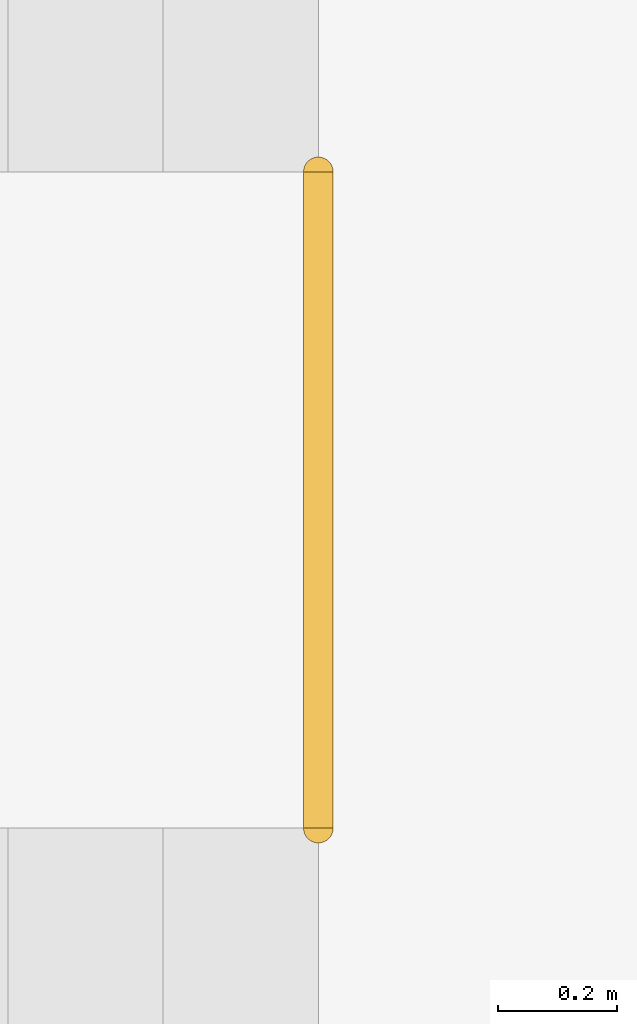
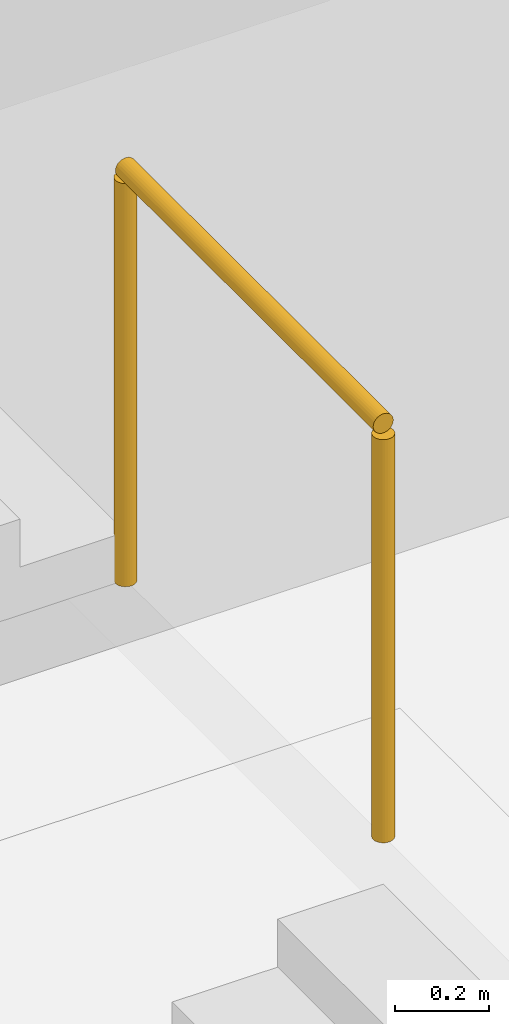
# One storey, part 56 of 67: 1 railing.
"""IFC4 building model written with IfcOpenShell, lengths in metres."""

from ifc_helpers import new_model, si_unit, direction, frame, origin, origin_2d, place, context, subcontext, project, spatial, circle, extrude, material, type_object, element, save


model = new_model("IFC4")

# Units and contexts
model_context = context("Model", 3, precision=1e-05, world=origin(), true_north=direction((0.0, 1.0)))
body_context = subcontext(model_context, "Body", "Model", "MODEL_VIEW")
ifc_project = project(units=[si_unit("LENGTHUNIT", "METRE"), si_unit("AREAUNIT", "SQUARE_METRE"), si_unit("VOLUMEUNIT", "CUBIC_METRE"), si_unit("PLANEANGLEUNIT", "RADIAN"), si_unit("MASSUNIT", "GRAM", prefix="KILO")], contexts=[model_context])

# Site, building, storey
site_placement = place(None, origin())
site = spatial("IfcSite", under=ifc_project, at=site_placement, CompositionType="ELEMENT")
building_placement = place(site_placement, origin())
building = spatial("IfcBuilding", under=site, at=building_placement, Name="Rain Tree Exposition and Congress Centre", CompositionType="ELEMENT")
storey_placement = place(building_placement, frame((0.0, 0.0, -3.0)))
storey = spatial("IfcBuildingStorey", under=building, at=storey_placement, Name="B1", CompositionType="ELEMENT", Elevation=-3.0)

# Railing
ifc_material = material(Name="Stainless steel", Category="steel")
railing_type = type_object("IfcRailingType", Name="Guard 1100 stainless", PredefinedType="GUARDRAIL", material=ifc_material)
railing_placement = place(storey_placement, frame((72.360107421875, 64.050048828125, 1.5)))
element("IfcRailing", 1, at=railing_placement, inside=storey, type_object=railing_type, Name="Exit stair E3 well guard", PredefinedType="GUARDRAIL", context=body_context, shape_type="SweptSolid", body=[
    extrude(circle(Radius=0.02490234375, at=origin_2d()), frame((0.0, 0.0, 1.0751953125), z_axis=(0.0, 1.0, 0.0), x_axis=(-1.0, 0.0, 0.0)), (0.0, 0.0, 1.0), 1.099853515625),
    extrude(circle(Radius=0.02490234375, at=origin_2d()), origin(), (0.0, 0.0, 1.0), 1.050048828125),
    extrude(circle(Radius=0.02490234375, at=origin_2d()), frame((0.0, 1.099853515625, 0.0)), (0.0, 0.0, 1.0), 1.050048828125),
])

save(model, "model.ifc")
